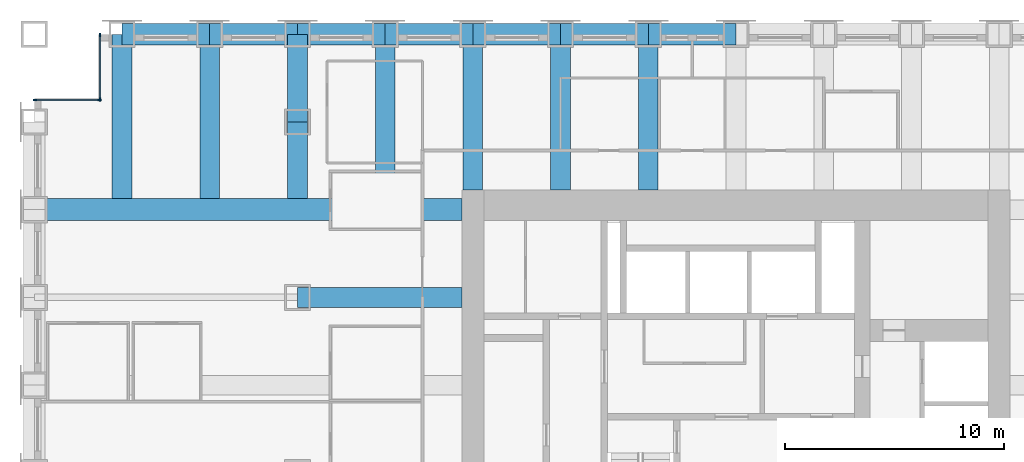
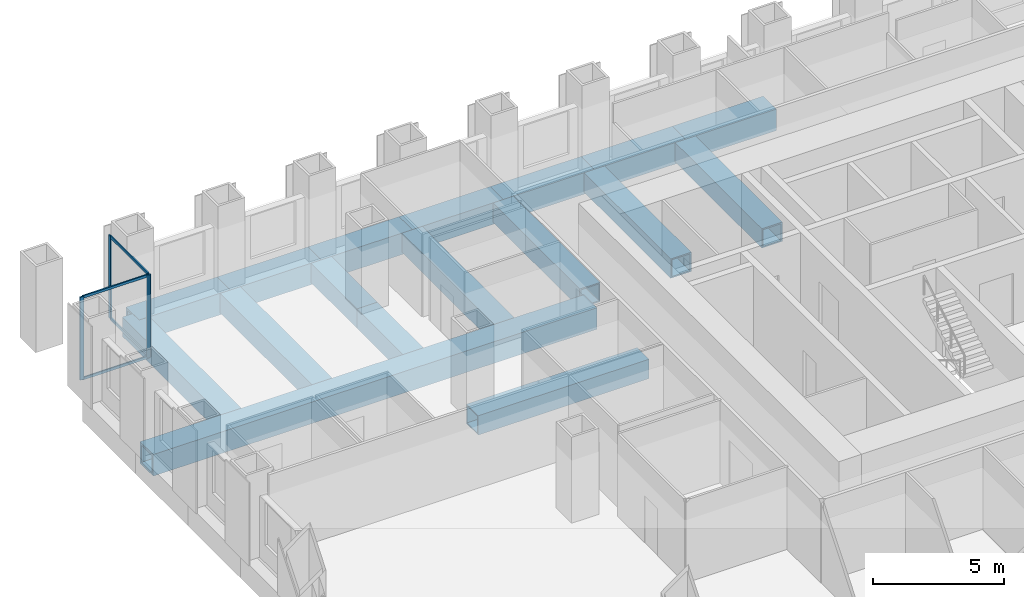
# One storey, part 6 of 15: 17 beams, 8 members, 2 elements without a shape of their own.
"""IFC4 building model written with IfcOpenShell, lengths in metres."""

from ifc_helpers import new_model, si_unit, direction, frame, origin, origin_2d, place, context, subcontext, project, spatial, rectangle, hollow_rectangle, extrude, material, material_profile, profile_set, type_object, element, aggregate, save


model = new_model("IFC4")

# Units and contexts
model_context = context("Model", 3, precision=1e-05, world=origin(), true_north=direction((0.0, 1.0)))
body_context = subcontext(model_context, "Body", "Model", "MODEL_VIEW")
ifc_project = project(units=[si_unit("LENGTHUNIT", "METRE"), si_unit("AREAUNIT", "SQUARE_METRE"), si_unit("VOLUMEUNIT", "CUBIC_METRE"), si_unit("PLANEANGLEUNIT", "RADIAN"), si_unit("MASSUNIT", "GRAM", prefix="KILO")], contexts=[model_context])

# Site, building, storey
site_placement = place(None, origin())
site = spatial("IfcSite", under=ifc_project, at=site_placement, CompositionType="ELEMENT")
building_placement = place(site_placement, origin())
building = spatial("IfcBuilding", under=site, at=building_placement, Name="Rimbunsela Tower", CompositionType="ELEMENT")
storey_placement = place(building_placement, frame((0.0, 0.0, 23.0)))
storey = spatial("IfcBuildingStorey", under=building, at=storey_placement, Name="L05", CompositionType="ELEMENT", Elevation=23.0)

# Beams
ifc_material_1 = material(Name="Steel BJ 55 (fy 410 MPa)", Category="steel")
ifc_material_profile_1 = material_profile(ifc_material_1, hollow_rectangle(XDim=1.0, YDim=1.0, WallThickness=0.10009765625, at=origin_2d()), Name="BOX 1000x1000x100")
ifc_profile_set_1 = profile_set([ifc_material_profile_1], Name="Steel BJ 55 (fy 410 MPa)")
beam_type_1 = type_object("IfcBeamType", Name="Beam BOX 1000x1000x100", PredefinedType="BEAM", material=ifc_profile_set_1)
beam_1_placement = place(storey_placement, frame((-2.0, 36.0, -0.64990234375), z_axis=(1.0, 0.0, 0.0), x_axis=(0.0, 1.0, 0.0)))
element("IfcBeam", 1, at=beam_1_placement, inside=storey, type_object=beam_type_1, Name="Beam B3 L05", PredefinedType="BEAM", context=body_context, shape_type="SweptSolid", body=[
    extrude(hollow_rectangle(XDim=1.0, YDim=1.0, WallThickness=0.10009765625, at=origin_2d()), origin(), (0.0, 0.0, 1.0), 19.5),
])
for number, where, z_axis, x_axis, name in (
    (2, (2.0, 44.0, -0.64990234375), (1.0, 0.0, 0.0), (0.0, 1.0, 0.0), "Beam B3 L05"),
    (3, (6.0, 44.0, -0.64990234375), (1.0, 0.0, 0.0), (0.0, 1.0, 0.0), "Beam B3 L05"),
    (4, (10.0, 44.0, -0.64990234375), (1.0, 0.0, 0.0), (0.0, 1.0, 0.0), "Beam B3 L05"),
    (5, (14.0, 44.0, -0.64990234375), (1.0, 0.0, 0.0), (0.0, 1.0, 0.0), "Beam B3 L05"),
    (6, (18.0, 44.0, -0.64990234375), (1.0, 0.0, 0.0), (0.0, 1.0, 0.0), "Beam B3 L05"),
    (7, (22.0, 44.0, -0.64990234375), (1.0, 0.0, 0.0), (0.0, 1.0, 0.0), "Beam B3 L05"),
    (8, (26.0, 44.0, -0.64990234375), (1.0, 0.0, 0.0), (0.0, 1.0, 0.0), "Beam B3 L05"),
):
    element("IfcBeam", number, at=place(storey_placement, frame(where, z_axis=z_axis, x_axis=x_axis)), inside=storey, type_object=beam_type_1, Name=name, PredefinedType="BEAM", context=body_context, shape_type="SweptSolid", body=[
        extrude(hollow_rectangle(XDim=1.0, YDim=1.0, WallThickness=0.10009765625, at=origin_2d()), origin(), (0.0, 0.0, 1.0), 4.0),
    ])
ifc_material_2 = material(Name="Steel BJ 55 (fy 410 MPa)", Category="steel")
ifc_material_profile_2 = material_profile(ifc_material_2, hollow_rectangle(XDim=0.89990234375, YDim=0.89990234375, WallThickness=0.06005859375, at=origin_2d()), Name="BOX 900x900x60")
ifc_profile_set_2 = profile_set([ifc_material_profile_2], Name="Steel BJ 55 (fy 410 MPa)")
beam_type_2 = type_object("IfcBeamType", Name="Beam BOX 900x900x60", PredefinedType="BEAM", material=ifc_profile_set_2)
for number, where, z_axis, x_axis, name in (
    (9, (2.0, 36.5, -0.60009765625), (0.0, 1.0, 0.0), (-1.0, 0.0, 0.0), "Beam B1 L05"),
    (10, (6.0, 36.5, -0.60009765625), (0.0, 1.0, 0.0), (-1.0, 0.0, 0.0), "Beam B1 L05"),
    (11, (10.0, 32.0, -0.60009765625), (1.0, 0.0, 0.0), (0.0, 1.0, 0.0), "Beam B1 L05"),
):
    element("IfcBeam", number, at=place(storey_placement, frame(where, z_axis=z_axis, x_axis=x_axis)), inside=storey, type_object=beam_type_2, Name=name, PredefinedType="BEAM", context=body_context, shape_type="SweptSolid", body=[
        extrude(hollow_rectangle(XDim=0.89990234375, YDim=0.89990234375, WallThickness=0.06005859375, at=origin_2d()), origin(), (0.0, 0.0, 1.0), 7.5),
    ])
beam_2_placement = place(storey_placement, frame((10.0, 36.5, -0.60009765625), z_axis=(0.0, 1.0, 0.0), x_axis=(-1.0, 0.0, 0.0)))
element("IfcBeam", 12, at=beam_2_placement, inside=storey, type_object=beam_type_2, Name="Beam B1 L05", PredefinedType="BEAM", context=body_context, shape_type="SweptSolid", body=[
    extrude(hollow_rectangle(XDim=0.89990234375, YDim=0.89990234375, WallThickness=0.06005859375, at=origin_2d()), origin(), (0.0, 0.0, 1.0), 3.5),
])
beam_3_placement = place(storey_placement, frame((10.0, 40.0, -0.60009765625), z_axis=(0.0, 1.0, 0.0), x_axis=(-1.0, 0.0, 0.0)))
element("IfcBeam", 13, at=beam_3_placement, inside=storey, type_object=beam_type_2, Name="Beam B1 L05", PredefinedType="BEAM", context=body_context, shape_type="SweptSolid", body=[
    extrude(hollow_rectangle(XDim=0.89990234375, YDim=0.89990234375, WallThickness=0.06005859375, at=origin_2d()), origin(), (0.0, 0.0, 1.0), 4.0),
])
beam_4_placement = place(storey_placement, frame((14.0, 36.5, -0.60009765625), z_axis=(0.0, 1.0, 0.0), x_axis=(-1.0, 0.0, 0.0)))
element("IfcBeam", 14, at=beam_4_placement, inside=storey, type_object=beam_type_2, Name="Beam B1 L05", PredefinedType="BEAM", context=body_context, shape_type="SweptSolid", body=[
    extrude(hollow_rectangle(XDim=0.89990234375, YDim=0.89990234375, WallThickness=0.06005859375, at=origin_2d()), origin(), (0.0, 0.0, 1.0), 7.5),
])
for number, where, z_axis, x_axis, name in (
    (15, (18.0, 36.89990234375, -0.60009765625), (0.0, 1.0, 0.0), (-1.0, 0.0, 0.0), "Beam B1 L05"),
    (16, (22.0, 36.89990234375, -0.60009765625), (0.0, 1.0, 0.0), (-1.0, 0.0, 0.0), "Beam B1 L05"),
    (17, (26.0, 36.89990234375, -0.60009765625), (0.0, 1.0, 0.0), (-1.0, 0.0, 0.0), "Beam B1 L05"),
):
    element("IfcBeam", number, at=place(storey_placement, frame(where, z_axis=z_axis, x_axis=x_axis)), inside=storey, type_object=beam_type_2, Name=name, PredefinedType="BEAM", context=body_context, shape_type="SweptSolid", body=[
        extrude(hollow_rectangle(XDim=0.89990234375, YDim=0.89990234375, WallThickness=0.06005859375, at=origin_2d()), origin(), (0.0, 0.0, 1.0), 7.10009765625),
    ])

# Curtain wall, members
ifc_material_3 = material(Name="Aluminium curtain wall", Category="aluminium")
curtain_wall_type = type_object("IfcCurtainWallType", Name="Corner glazing", PredefinedType="USERDEFINED", material=ifc_material_3)
curtain_wall_1_placement = place(storey_placement, origin())
curtain_wall_1 = element("IfcCurtainWall", 18, at=curtain_wall_1_placement, inside=storey, type_object=curtain_wall_type, Name="Corner glazing L05", ObjectType="CORNER GLAZING", PredefinedType="USERDEFINED")
ifc_material_4 = material(Name="Aluminium mullion", Category="aluminium")
ifc_material_profile_3 = material_profile(ifc_material_4, rectangle(XDim=0.06005859375, YDim=0.159912109375, at=origin_2d()), Name="Mullion 60x160")
ifc_profile_set_3 = profile_set([ifc_material_profile_3], Name="Aluminium mullion")
member_type_1 = type_object("IfcMemberType", Name="Curtain wall mullion 60x160", PredefinedType="MULLION", material=ifc_profile_set_3)
member_1_placement = place(storey_placement, frame((1.0, 43.969970703125, 0.0), z_axis=(0.0, 0.0, 1.0), x_axis=(1.0, 0.0, 0.0)))
member_1 = element("IfcMember", 19, at=member_1_placement, type_object=member_type_1, Name="CW5 mullion 1", PredefinedType="MULLION", context=body_context, shape_type="SweptSolid", body=[
    extrude(rectangle(XDim=0.06005859375, YDim=0.159912109375, at=origin_2d()), origin(), (0.0, 0.0, 1.0), 3.85009765625),
])
member_2_placement = place(storey_placement, frame((1.0, 41.030029296875, 0.0), z_axis=(0.0, 0.0, 1.0), x_axis=(1.0, 0.0, 0.0)))
member_2 = element("IfcMember", 20, at=member_2_placement, type_object=member_type_1, Name="CW5 mullion 2", PredefinedType="MULLION", context=body_context, shape_type="SweptSolid", body=[
    extrude(rectangle(XDim=0.06005859375, YDim=0.159912109375, at=origin_2d()), origin(), (0.0, 0.0, 1.0), 3.85009765625),
])

curtain_wall_2_placement = place(storey_placement, origin())
curtain_wall_2 = element("IfcCurtainWall", 21, at=curtain_wall_2_placement, inside=storey, type_object=curtain_wall_type, Name="Corner glazing L05", ObjectType="CORNER GLAZING", PredefinedType="USERDEFINED")
member_3_placement = place(storey_placement, frame((0.969970703125, 41.0, 0.0), z_axis=(0.0, 0.0, 1.0), x_axis=(0.0, -1.0, 0.0)))
member_3 = element("IfcMember", 22, at=member_3_placement, type_object=member_type_1, Name="CW5 mullion 1", PredefinedType="MULLION", context=body_context, shape_type="SweptSolid", body=[
    extrude(rectangle(XDim=0.06005859375, YDim=0.159912109375, at=origin_2d()), origin(), (0.0, 0.0, 1.0), 3.85009765625),
])
member_4_placement = place(storey_placement, frame((-1.969970703125, 41.0, 0.0), z_axis=(0.0, 0.0, 1.0), x_axis=(0.0, -1.0, 0.0)))
member_4 = element("IfcMember", 23, at=member_4_placement, type_object=member_type_1, Name="CW5 mullion 2", PredefinedType="MULLION", context=body_context, shape_type="SweptSolid", body=[
    extrude(rectangle(XDim=0.06005859375, YDim=0.159912109375, at=origin_2d()), origin(), (0.0, 0.0, 1.0), 3.85009765625),
])

# Member
ifc_material_5 = material(Name="Aluminium transom", Category="aluminium")
ifc_material_profile_4 = material_profile(ifc_material_5, rectangle(XDim=0.06005859375, YDim=0.1201171875, at=origin_2d()), Name="Transom 60x120")
ifc_profile_set_4 = profile_set([ifc_material_profile_4], Name="Aluminium transom")
member_type_2 = type_object("IfcMemberType", Name="Curtain wall transom 60x120", PredefinedType="USERDEFINED", material=ifc_profile_set_4)
member_5_placement = place(storey_placement, frame((1.0, 43.93994140625, 0.030029296875), z_axis=(0.0, -1.0, 0.0), x_axis=(1.0, 0.0, 0.0)))
member_5 = element("IfcMember", 24, at=member_5_placement, type_object=member_type_2, Name="CW5 transom 1.1", ObjectType="TRANSOM", PredefinedType="USERDEFINED", context=body_context, shape_type="SweptSolid", body=[
    extrude(rectangle(XDim=0.06005859375, YDim=0.1201171875, at=origin_2d()), origin(), (0.0, 0.0, 1.0), 2.8798828125),
])

member_6_placement = place(storey_placement, frame((1.0, 43.93994140625, 3.820068359375), z_axis=(0.0, -1.0, 0.0), x_axis=(1.0, 0.0, 0.0)))
member_6 = element("IfcMember", 25, at=member_6_placement, type_object=member_type_2, Name="CW5 transom 1.2", ObjectType="TRANSOM", PredefinedType="USERDEFINED", context=body_context, shape_type="SweptSolid", body=[
    extrude(rectangle(XDim=0.06005859375, YDim=0.1201171875, at=origin_2d()), origin(), (0.0, 0.0, 1.0), 2.8798828125),
])

aggregate(curtain_wall_1, [member_1, member_2, member_5, member_6])

member_7_placement = place(storey_placement, frame((0.93994140625, 41.0, 0.030029296875), z_axis=(-1.0, 0.0, 0.0), x_axis=(0.0, -1.0, 0.0)))
member_7 = element("IfcMember", 26, at=member_7_placement, type_object=member_type_2, Name="CW5 transom 1.1", ObjectType="TRANSOM", PredefinedType="USERDEFINED", context=body_context, shape_type="SweptSolid", body=[
    extrude(rectangle(XDim=0.06005859375, YDim=0.1201171875, at=origin_2d()), origin(), (0.0, 0.0, 1.0), 2.8798828125),
])

member_8_placement = place(storey_placement, frame((0.93994140625, 41.0, 3.820068359375), z_axis=(-1.0, 0.0, 0.0), x_axis=(0.0, -1.0, 0.0)))
member_8 = element("IfcMember", 27, at=member_8_placement, type_object=member_type_2, Name="CW5 transom 1.2", ObjectType="TRANSOM", PredefinedType="USERDEFINED", context=body_context, shape_type="SweptSolid", body=[
    extrude(rectangle(XDim=0.06005859375, YDim=0.1201171875, at=origin_2d()), origin(), (0.0, 0.0, 1.0), 2.8798828125),
])

aggregate(curtain_wall_2, [member_3, member_4, member_7, member_8])

save(model, "model.ifc")
